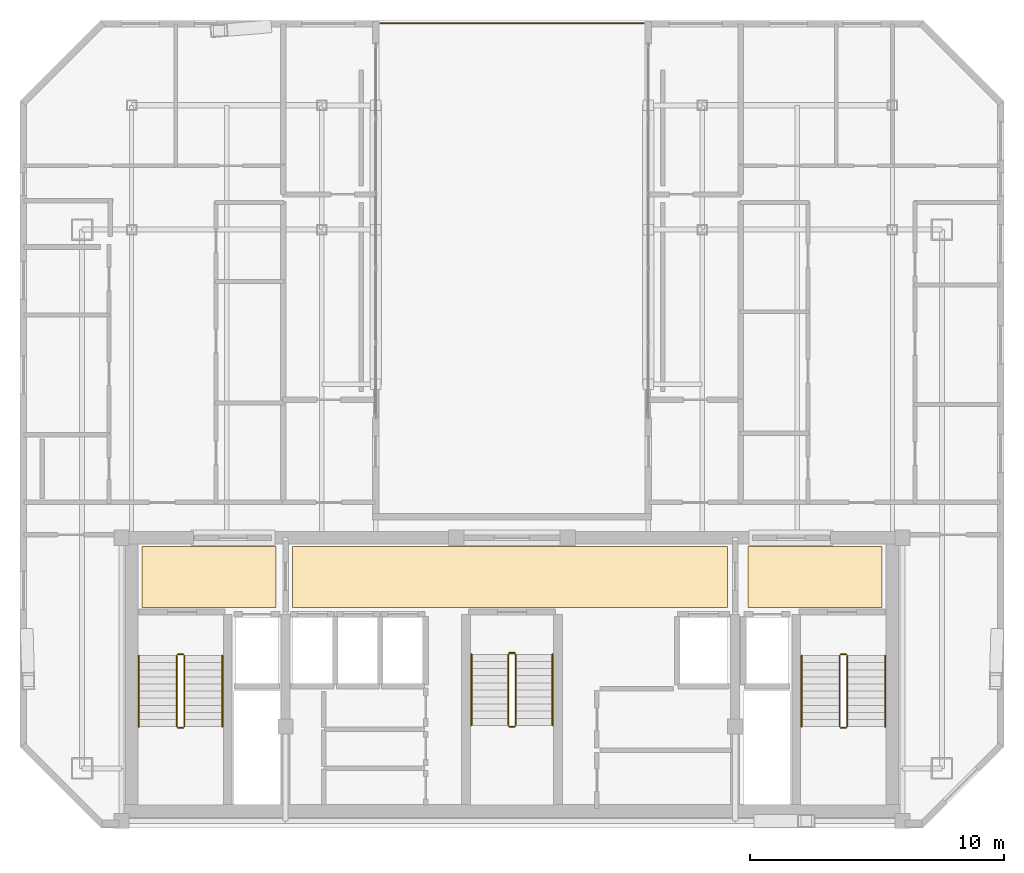
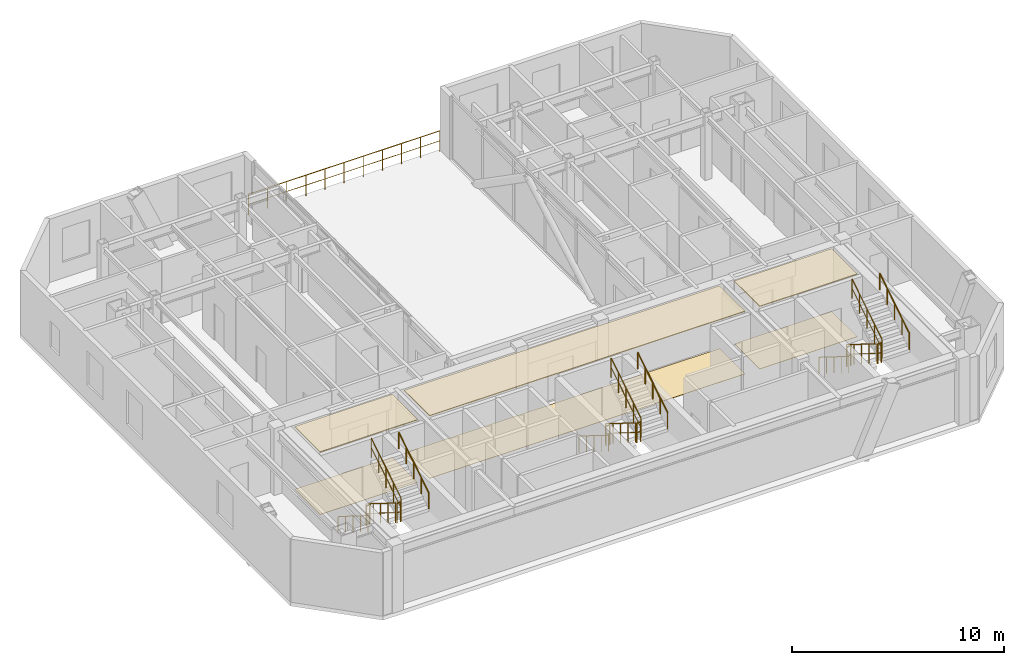
# One storey, part 14 of 14: 19 railings, 6 coverings.
"""IFC4 building model written with IfcOpenShell, lengths in metres."""

from ifc_helpers import new_model, si_unit, direction, frame, origin, origin_2d, place, context, subcontext, project, spatial, polyline, circle, outline, extrude, material, layer, layer_set, type_object, element, save


model = new_model("IFC4")

# Units and contexts
model_context = context("Model", 3, precision=1e-05, world=origin(), true_north=direction((0.0, 1.0)))
body_context = subcontext(model_context, "Body", "Model", "MODEL_VIEW")
ifc_project = project(units=[si_unit("LENGTHUNIT", "METRE"), si_unit("AREAUNIT", "SQUARE_METRE"), si_unit("VOLUMEUNIT", "CUBIC_METRE"), si_unit("PLANEANGLEUNIT", "RADIAN"), si_unit("MASSUNIT", "GRAM", prefix="KILO")], contexts=[model_context])

# Site, building, storey
site_placement = place(None, origin())
site = spatial("IfcSite", under=ifc_project, at=site_placement, CompositionType="ELEMENT")
building_placement = place(site_placement, origin())
building = spatial("IfcBuilding", under=site, at=building_placement, Name="Ventersveld Concourse Tower", CompositionType="ELEMENT")
storey_placement = place(building_placement, frame((0.0, 0.0, 337.5)))
storey = spatial("IfcBuildingStorey", under=building, at=storey_placement, Name="L83", CompositionType="ELEMENT", Elevation=337.5)

# Coverings
ifc_material_1 = material(Name="Mineral-fibre acoustic ceiling tile", Category="gypsum")
ifc_layer_1 = layer(ifc_material_1, 0.0400390625)
ifc_layer_set_1 = layer_set([ifc_layer_1], Name="Mineral-fibre acoustic ceiling tile")
covering_type_1 = type_object("IfcCoveringType", Name="COV-CEIL-ACOUSTIC", PredefinedType="CEILING", material=ifc_layer_set_1)
covering_1_placement = place(storey_placement, frame((0.0, 0.0, 3.590087890625)))
element("IfcCovering", 1, at=covering_1_placement, inside=storey, type_object=covering_type_1, Name="L83 North Lift Lobby Acoustic Ceiling", PredefinedType="CEILING", context=body_context, shape_type="SweptSolid", body=[
    extrude(outline(polyline([(20.10009765625, 8.699951171875), (37.25, 8.699951171875), (37.25, 11.10009765625), (20.10009765625, 11.10009765625), (20.10009765625, 8.699951171875)])), origin(), (0.0, 0.0, 1.0), 0.039794921875),
])
covering_2_placement = place(storey_placement, frame((0.0, 0.0, 3.590087890625)))
element("IfcCovering", 2, at=covering_2_placement, inside=storey, type_object=covering_type_1, Name="L83 West Firefighting Lobby Acoustic Ceiling", PredefinedType="CEILING", context=body_context, shape_type="SweptSolid", body=[
    extrude(outline(polyline([(14.14990234375, 8.699951171875), (19.449951171875, 8.699951171875), (19.449951171875, 11.10009765625), (14.14990234375, 11.10009765625), (14.14990234375, 8.699951171875)])), origin(), (0.0, 0.0, 1.0), 0.039794921875),
])
covering_3_placement = place(storey_placement, frame((0.0, 0.0, 3.590087890625)))
element("IfcCovering", 3, at=covering_3_placement, inside=storey, type_object=covering_type_1, Name="L83 East Firefighting Lobby Acoustic Ceiling", PredefinedType="CEILING", context=body_context, shape_type="SweptSolid", body=[
    extrude(outline(polyline([(38.050048828125, 8.699951171875), (43.35009765625, 8.699951171875), (43.35009765625, 11.10009765625), (38.050048828125, 11.10009765625), (38.050048828125, 8.699951171875)])), origin(), (0.0, 0.0, 1.0), 0.039794921875),
])
ifc_material_2 = material(Name="Polished Highveld granite terrazzo", Category="masonry")
ifc_layer_2 = layer(ifc_material_2, 0.02001953125)
ifc_layer_set_2 = layer_set([ifc_layer_2], Name="Polished Highveld granite terrazzo")
covering_type_2 = type_object("IfcCoveringType", Name="COV-FLOOR-TERRAZZO", PredefinedType="FLOORING", material=ifc_layer_set_2)
covering_4_placement = place(storey_placement, origin())
element("IfcCovering", 4, at=covering_4_placement, inside=storey, type_object=covering_type_2, Name="L83 North Lift Lobby Terrazzo Flooring", PredefinedType="FLOORING", context=body_context, shape_type="SweptSolid", body=[
    extrude(outline(polyline([(20.10009765625, 8.699951171875), (37.25, 8.699951171875), (37.25, 11.10009765625), (20.10009765625, 11.10009765625), (20.10009765625, 8.699951171875)])), origin(), (0.0, 0.0, 1.0), 0.02001953125),
])
covering_5_placement = place(storey_placement, origin())
element("IfcCovering", 5, at=covering_5_placement, inside=storey, type_object=covering_type_2, Name="L83 West Firefighting Lobby Terrazzo Flooring", PredefinedType="FLOORING", context=body_context, shape_type="SweptSolid", body=[
    extrude(outline(polyline([(14.14990234375, 8.699951171875), (19.449951171875, 8.699951171875), (19.449951171875, 11.10009765625), (14.14990234375, 11.10009765625), (14.14990234375, 8.699951171875)])), origin(), (0.0, 0.0, 1.0), 0.02001953125),
])
covering_6_placement = place(storey_placement, origin())
element("IfcCovering", 6, at=covering_6_placement, inside=storey, type_object=covering_type_2, Name="L83 East Firefighting Lobby Terrazzo Flooring", PredefinedType="FLOORING", context=body_context, shape_type="SweptSolid", body=[
    extrude(outline(polyline([(38.050048828125, 8.699951171875), (43.35009765625, 8.699951171875), (43.35009765625, 11.10009765625), (38.050048828125, 11.10009765625), (38.050048828125, 8.699951171875)])), origin(), (0.0, 0.0, 1.0), 0.02001953125),
])

# Railings
ifc_material_3 = material(Name="Brushed stainless steel 316", Category="steel")
railing_type_1 = type_object("IfcRailingType", Name="GD-BAL-115", PredefinedType="GUARDRAIL", material=ifc_material_3)
railing_1_placement = place(storey_placement, frame((15.530029296875, 6.800048828125, 0.175048828125)))
element("IfcRailing", 7, at=railing_1_placement, inside=storey, type_object=railing_type_1, Name="L83 ST-01 stair guard 1", PredefinedType="GUARDRAIL", context=body_context, shape_type="SweptSolid", body=[
    extrude(circle(Radius=0.02392578125, at=origin_2d()), frame((0.0, 0.0, 1.1259765625), z_axis=(0.0, -0.848002457836, 0.529992293815), x_axis=(1.0, 0.0, 0.0)), (0.0, 0.0, 1.0), 3.302001953125),
    extrude(circle(Radius=0.01611328125, at=origin_2d()), frame((0.0, 0.0, 0.574951171875), z_axis=(0.0, -0.848002457836, 0.529992293815), x_axis=(1.0, 0.0, 0.0)), (0.0, 0.0, 1.0), 3.302001953125),
    extrude(circle(Radius=0.02099609375, at=origin_2d()), origin(), (0.0, 0.0, 1.0), 1.101806640625),
    extrude(circle(Radius=0.02099609375, at=origin_2d()), frame((0.0, -0.699951171875, 0.4375)), (0.0, 0.0, 1.0), 1.101806640625),
    extrude(circle(Radius=0.02099609375, at=origin_2d()), frame((0.0, -1.39990234375, 0.875)), (0.0, 0.0, 1.0), 1.101806640625),
    extrude(circle(Radius=0.02099609375, at=origin_2d()), frame((0.0, -2.10009765625, 1.3125)), (0.0, 0.0, 1.0), 1.101806640625),
    extrude(circle(Radius=0.02099609375, at=origin_2d()), frame((0.0, -2.800048828125, 1.75)), (0.0, 0.0, 1.0), 1.101806640625),
])
railing_2_placement = place(storey_placement, frame((15.580078125, 3.949951171875, 1.925048828125)))
element("IfcRailing", 8, at=railing_2_placement, inside=storey, type_object=railing_type_1, Name="L83 ST-01 stair guard 2", PredefinedType="GUARDRAIL", context=body_context, shape_type="SweptSolid", body=[
    extrude(circle(Radius=0.02392578125, at=origin_2d()), frame((0.0, 0.0, 1.1259765625), z_axis=(1.0, 0.0, 0.0), x_axis=(0.0, 1.0, 0.0)), (0.0, 0.0, 1.0), 0.199951171875),
    extrude(circle(Radius=0.01611328125, at=origin_2d()), frame((0.0, 0.0, 0.574951171875), z_axis=(1.0, 0.0, 0.0), x_axis=(0.0, 1.0, 0.0)), (0.0, 0.0, 1.0), 0.199951171875),
    extrude(circle(Radius=0.02099609375, at=origin_2d()), origin(), (0.0, 0.0, 1.0), 1.101806640625),
    extrude(circle(Radius=0.02099609375, at=origin_2d()), frame((0.199951171875, 0.0, 0.0)), (0.0, 0.0, 1.0), 1.101806640625),
])
railing_3_placement = place(storey_placement, frame((15.830078125, 4.0, 2.10009765625)))
element("IfcRailing", 9, at=railing_3_placement, inside=storey, type_object=railing_type_1, Name="L83 ST-01 stair guard 3", PredefinedType="GUARDRAIL", context=body_context, shape_type="SweptSolid", body=[
    extrude(circle(Radius=0.02392578125, at=origin_2d()), frame((0.0, 0.0, 1.1259765625), z_axis=(0.0, 0.848002457836, 0.529992293815), x_axis=(-1.0, 0.0, 0.0)), (0.0, 0.0, 1.0), 3.302001953125),
    extrude(circle(Radius=0.01611328125, at=origin_2d()), frame((0.0, 0.0, 0.574951171875), z_axis=(0.0, 0.848002457836, 0.529992293815), x_axis=(-1.0, 0.0, 0.0)), (0.0, 0.0, 1.0), 3.302001953125),
    extrude(circle(Radius=0.02099609375, at=origin_2d()), origin(), (0.0, 0.0, 1.0), 1.101806640625),
    extrude(circle(Radius=0.02099609375, at=origin_2d()), frame((0.0, 0.699951171875, 0.4375)), (0.0, 0.0, 1.0), 1.101806640625),
    extrude(circle(Radius=0.02099609375, at=origin_2d()), frame((0.0, 1.39990234375, 0.875)), (0.0, 0.0, 1.0), 1.101806640625),
    extrude(circle(Radius=0.02099609375, at=origin_2d()), frame((0.0, 2.10009765625, 1.3125)), (0.0, 0.0, 1.0), 1.101806640625),
    extrude(circle(Radius=0.02099609375, at=origin_2d()), frame((0.0, 2.800048828125, 1.75)), (0.0, 0.0, 1.0), 1.101806640625),
])
railing_4_placement = place(storey_placement, frame((15.580078125, 6.85009765625, 0.0)))
element("IfcRailing", 10, at=railing_4_placement, inside=storey, type_object=railing_type_1, Name="L83 ST-01 stair guard 4", PredefinedType="GUARDRAIL", context=body_context, shape_type="SweptSolid", body=[
    extrude(circle(Radius=0.02392578125, at=origin_2d()), frame((0.0, 0.0, 1.1259765625), z_axis=(1.0, 0.0, 0.0), x_axis=(0.0, 1.0, 0.0)), (0.0, 0.0, 1.0), 0.199951171875),
    extrude(circle(Radius=0.01611328125, at=origin_2d()), frame((0.0, 0.0, 0.574951171875), z_axis=(1.0, 0.0, 0.0), x_axis=(0.0, 1.0, 0.0)), (0.0, 0.0, 1.0), 0.199951171875),
    extrude(circle(Radius=0.02099609375, at=origin_2d()), origin(), (0.0, 0.0, 1.0), 1.101806640625),
    extrude(circle(Radius=0.02099609375, at=origin_2d()), frame((0.199951171875, 0.0, 0.0)), (0.0, 0.0, 1.0), 1.101806640625),
])
railing_5_placement = place(storey_placement, frame((41.669921875, 6.800048828125, 0.175048828125)))
element("IfcRailing", 11, at=railing_5_placement, inside=storey, type_object=railing_type_1, Name="L83 ST-02 stair guard 1", PredefinedType="GUARDRAIL", context=body_context, shape_type="SweptSolid", body=[
    extrude(circle(Radius=0.02392578125, at=origin_2d()), frame((0.0, 0.0, 1.1259765625), z_axis=(0.0, -0.848002457836, 0.529992293815), x_axis=(1.0, 0.0, 0.0)), (0.0, 0.0, 1.0), 3.302001953125),
    extrude(circle(Radius=0.01611328125, at=origin_2d()), frame((0.0, 0.0, 0.574951171875), z_axis=(0.0, -0.848002457836, 0.529992293815), x_axis=(1.0, 0.0, 0.0)), (0.0, 0.0, 1.0), 3.302001953125),
    extrude(circle(Radius=0.02099609375, at=origin_2d()), origin(), (0.0, 0.0, 1.0), 1.101806640625),
    extrude(circle(Radius=0.02099609375, at=origin_2d()), frame((0.0, -0.699951171875, 0.4375)), (0.0, 0.0, 1.0), 1.101806640625),
    extrude(circle(Radius=0.02099609375, at=origin_2d()), frame((0.0, -1.39990234375, 0.875)), (0.0, 0.0, 1.0), 1.101806640625),
    extrude(circle(Radius=0.02099609375, at=origin_2d()), frame((0.0, -2.10009765625, 1.3125)), (0.0, 0.0, 1.0), 1.101806640625),
    extrude(circle(Radius=0.02099609375, at=origin_2d()), frame((0.0, -2.800048828125, 1.75)), (0.0, 0.0, 1.0), 1.101806640625),
])
railing_6_placement = place(storey_placement, frame((41.719970703125, 3.949951171875, 1.925048828125)))
element("IfcRailing", 12, at=railing_6_placement, inside=storey, type_object=railing_type_1, Name="L83 ST-02 stair guard 2", PredefinedType="GUARDRAIL", context=body_context, shape_type="SweptSolid", body=[
    extrude(circle(Radius=0.02392578125, at=origin_2d()), frame((0.0, 0.0, 1.1259765625), z_axis=(1.0, 0.0, 0.0), x_axis=(0.0, 1.0, 0.0)), (0.0, 0.0, 1.0), 0.199951171875),
    extrude(circle(Radius=0.01611328125, at=origin_2d()), frame((0.0, 0.0, 0.574951171875), z_axis=(1.0, 0.0, 0.0), x_axis=(0.0, 1.0, 0.0)), (0.0, 0.0, 1.0), 0.199951171875),
    extrude(circle(Radius=0.02099609375, at=origin_2d()), origin(), (0.0, 0.0, 1.0), 1.101806640625),
    extrude(circle(Radius=0.02099609375, at=origin_2d()), frame((0.199951171875, 0.0, 0.0)), (0.0, 0.0, 1.0), 1.101806640625),
])
railing_7_placement = place(storey_placement, frame((41.969970703125, 4.0, 2.10009765625)))
element("IfcRailing", 13, at=railing_7_placement, inside=storey, type_object=railing_type_1, Name="L83 ST-02 stair guard 3", PredefinedType="GUARDRAIL", context=body_context, shape_type="SweptSolid", body=[
    extrude(circle(Radius=0.02392578125, at=origin_2d()), frame((0.0, 0.0, 1.1259765625), z_axis=(0.0, 0.848002457836, 0.529992293815), x_axis=(-1.0, 0.0, 0.0)), (0.0, 0.0, 1.0), 3.302001953125),
    extrude(circle(Radius=0.01611328125, at=origin_2d()), frame((0.0, 0.0, 0.574951171875), z_axis=(0.0, 0.848002457836, 0.529992293815), x_axis=(-1.0, 0.0, 0.0)), (0.0, 0.0, 1.0), 3.302001953125),
    extrude(circle(Radius=0.02099609375, at=origin_2d()), origin(), (0.0, 0.0, 1.0), 1.101806640625),
    extrude(circle(Radius=0.02099609375, at=origin_2d()), frame((0.0, 0.699951171875, 0.4375)), (0.0, 0.0, 1.0), 1.101806640625),
    extrude(circle(Radius=0.02099609375, at=origin_2d()), frame((0.0, 1.39990234375, 0.875)), (0.0, 0.0, 1.0), 1.101806640625),
    extrude(circle(Radius=0.02099609375, at=origin_2d()), frame((0.0, 2.10009765625, 1.3125)), (0.0, 0.0, 1.0), 1.101806640625),
    extrude(circle(Radius=0.02099609375, at=origin_2d()), frame((0.0, 2.800048828125, 1.75)), (0.0, 0.0, 1.0), 1.101806640625),
])
railing_8_placement = place(storey_placement, frame((41.719970703125, 6.85009765625, 0.0)))
element("IfcRailing", 14, at=railing_8_placement, inside=storey, type_object=railing_type_1, Name="L83 ST-02 stair guard 4", PredefinedType="GUARDRAIL", context=body_context, shape_type="SweptSolid", body=[
    extrude(circle(Radius=0.02392578125, at=origin_2d()), frame((0.0, 0.0, 1.1259765625), z_axis=(1.0, 0.0, 0.0), x_axis=(0.0, 1.0, 0.0)), (0.0, 0.0, 1.0), 0.199951171875),
    extrude(circle(Radius=0.01611328125, at=origin_2d()), frame((0.0, 0.0, 0.574951171875), z_axis=(1.0, 0.0, 0.0), x_axis=(0.0, 1.0, 0.0)), (0.0, 0.0, 1.0), 0.199951171875),
    extrude(circle(Radius=0.02099609375, at=origin_2d()), origin(), (0.0, 0.0, 1.0), 1.101806640625),
    extrude(circle(Radius=0.02099609375, at=origin_2d()), frame((0.199951171875, 0.0, 0.0)), (0.0, 0.0, 1.0), 1.101806640625),
])
railing_9_placement = place(storey_placement, frame((28.60009765625, 6.85009765625, 0.175048828125)))
element("IfcRailing", 15, at=railing_9_placement, inside=storey, type_object=railing_type_1, Name="L83 ST-03 stair guard 1", PredefinedType="GUARDRAIL", context=body_context, shape_type="SweptSolid", body=[
    extrude(circle(Radius=0.02392578125, at=origin_2d()), frame((0.0, 0.0, 1.1259765625), z_axis=(0.0, -0.848002457836, 0.529992293815), x_axis=(1.0, 0.0, 0.0)), (0.0, 0.0, 1.0), 3.302001953125),
    extrude(circle(Radius=0.01611328125, at=origin_2d()), frame((0.0, 0.0, 0.574951171875), z_axis=(0.0, -0.848002457836, 0.529992293815), x_axis=(1.0, 0.0, 0.0)), (0.0, 0.0, 1.0), 3.302001953125),
    extrude(circle(Radius=0.02099609375, at=origin_2d()), origin(), (0.0, 0.0, 1.0), 1.101806640625),
    extrude(circle(Radius=0.02099609375, at=origin_2d()), frame((0.0, -0.699951171875, 0.4375)), (0.0, 0.0, 1.0), 1.101806640625),
    extrude(circle(Radius=0.02099609375, at=origin_2d()), frame((0.0, -1.39990234375, 0.875)), (0.0, 0.0, 1.0), 1.101806640625),
    extrude(circle(Radius=0.02099609375, at=origin_2d()), frame((0.0, -2.10009765625, 1.3125)), (0.0, 0.0, 1.0), 1.101806640625),
    extrude(circle(Radius=0.02099609375, at=origin_2d()), frame((0.0, -2.800048828125, 1.75)), (0.0, 0.0, 1.0), 1.101806640625),
])
railing_10_placement = place(storey_placement, frame((28.64990234375, 4.0, 1.925048828125)))
element("IfcRailing", 16, at=railing_10_placement, inside=storey, type_object=railing_type_1, Name="L83 ST-03 stair guard 2", PredefinedType="GUARDRAIL", context=body_context, shape_type="SweptSolid", body=[
    extrude(circle(Radius=0.02392578125, at=origin_2d()), frame((0.0, 0.0, 1.1259765625), z_axis=(1.0, 0.0, 0.0), x_axis=(0.0, 1.0, 0.0)), (0.0, 0.0, 1.0), 0.2001953125),
    extrude(circle(Radius=0.01611328125, at=origin_2d()), frame((0.0, 0.0, 0.574951171875), z_axis=(1.0, 0.0, 0.0), x_axis=(0.0, 1.0, 0.0)), (0.0, 0.0, 1.0), 0.2001953125),
    extrude(circle(Radius=0.02099609375, at=origin_2d()), origin(), (0.0, 0.0, 1.0), 1.101806640625),
    extrude(circle(Radius=0.02099609375, at=origin_2d()), frame((0.2001953125, 0.0, 0.0)), (0.0, 0.0, 1.0), 1.101806640625),
])
railing_11_placement = place(storey_placement, frame((28.89990234375, 4.050048828125, 2.10009765625)))
element("IfcRailing", 17, at=railing_11_placement, inside=storey, type_object=railing_type_1, Name="L83 ST-03 stair guard 3", PredefinedType="GUARDRAIL", context=body_context, shape_type="SweptSolid", body=[
    extrude(circle(Radius=0.02392578125, at=origin_2d()), frame((0.0, 0.0, 1.1259765625), z_axis=(0.0, 0.848002457836, 0.529992293815), x_axis=(-1.0, 0.0, 0.0)), (0.0, 0.0, 1.0), 3.302001953125),
    extrude(circle(Radius=0.01611328125, at=origin_2d()), frame((0.0, 0.0, 0.574951171875), z_axis=(0.0, 0.848002457836, 0.529992293815), x_axis=(-1.0, 0.0, 0.0)), (0.0, 0.0, 1.0), 3.302001953125),
    extrude(circle(Radius=0.02099609375, at=origin_2d()), origin(), (0.0, 0.0, 1.0), 1.101806640625),
    extrude(circle(Radius=0.02099609375, at=origin_2d()), frame((0.0, 0.699951171875, 0.4375)), (0.0, 0.0, 1.0), 1.101806640625),
    extrude(circle(Radius=0.02099609375, at=origin_2d()), frame((0.0, 1.39990234375, 0.875)), (0.0, 0.0, 1.0), 1.101806640625),
    extrude(circle(Radius=0.02099609375, at=origin_2d()), frame((0.0, 2.10009765625, 1.3125)), (0.0, 0.0, 1.0), 1.101806640625),
    extrude(circle(Radius=0.02099609375, at=origin_2d()), frame((0.0, 2.800048828125, 1.75)), (0.0, 0.0, 1.0), 1.101806640625),
])
railing_12_placement = place(storey_placement, frame((28.64990234375, 6.89990234375, 0.0)))
element("IfcRailing", 18, at=railing_12_placement, inside=storey, type_object=railing_type_1, Name="L83 ST-03 stair guard 4", PredefinedType="GUARDRAIL", context=body_context, shape_type="SweptSolid", body=[
    extrude(circle(Radius=0.02392578125, at=origin_2d()), frame((0.0, 0.0, 1.1259765625), z_axis=(1.0, 0.0, 0.0), x_axis=(0.0, 1.0, 0.0)), (0.0, 0.0, 1.0), 0.2001953125),
    extrude(circle(Radius=0.01611328125, at=origin_2d()), frame((0.0, 0.0, 0.574951171875), z_axis=(1.0, 0.0, 0.0), x_axis=(0.0, 1.0, 0.0)), (0.0, 0.0, 1.0), 0.2001953125),
    extrude(circle(Radius=0.02099609375, at=origin_2d()), origin(), (0.0, 0.0, 1.0), 1.101806640625),
    extrude(circle(Radius=0.02099609375, at=origin_2d()), frame((0.2001953125, 0.0, 0.0)), (0.0, 0.0, 1.0), 1.101806640625),
])
railing_type_2 = type_object("IfcRailingType", Name="GD-TER-120", PredefinedType="GUARDRAIL", material=ifc_material_3)
railing_13_placement = place(storey_placement, frame((23.550048828125, 31.73388671875, 0.0)))
element("IfcRailing", 19, at=railing_13_placement, inside=storey, type_object=railing_type_2, Name="L83 Outdoor Terrace Guardrail PORTAL-DECK", PredefinedType="GUARDRAIL", context=body_context, shape_type="SweptSolid", body=[
    extrude(circle(Radius=0.02392578125, at=origin_2d()), frame((0.0, 0.0, 1.17578125), z_axis=(1.0, 0.0, 0.0), x_axis=(0.0, 1.0, 0.0)), (0.0, 0.0, 1.0), 10.39990234375),
    extrude(circle(Radius=0.01611328125, at=origin_2d()), frame((0.0, 0.0, 0.60009765625), z_axis=(1.0, 0.0, 0.0), x_axis=(0.0, 1.0, 0.0)), (0.0, 0.0, 1.0), 10.39990234375),
    extrude(circle(Radius=0.02099609375, at=origin_2d()), origin(), (0.0, 0.0, 1.0), 1.15185546875),
    extrude(circle(Radius=0.02099609375, at=origin_2d()), frame((1.0400390625, 0.0, 0.0)), (0.0, 0.0, 1.0), 1.15185546875),
    extrude(circle(Radius=0.02099609375, at=origin_2d()), frame((2.080078125, 0.0, 0.0)), (0.0, 0.0, 1.0), 1.15185546875),
    extrude(circle(Radius=0.02099609375, at=origin_2d()), frame((3.119873046875, 0.0, 0.0)), (0.0, 0.0, 1.0), 1.15185546875),
    extrude(circle(Radius=0.02099609375, at=origin_2d()), frame((4.159912109375, 0.0, 0.0)), (0.0, 0.0, 1.0), 1.15185546875),
    extrude(circle(Radius=0.02099609375, at=origin_2d()), frame((5.199951171875, 0.0, 0.0)), (0.0, 0.0, 1.0), 1.15185546875),
    extrude(circle(Radius=0.02099609375, at=origin_2d()), frame((6.239990234375, 0.0, 0.0)), (0.0, 0.0, 1.0), 1.15185546875),
    extrude(circle(Radius=0.02099609375, at=origin_2d()), frame((7.280029296875, 0.0, 0.0)), (0.0, 0.0, 1.0), 1.15185546875),
    extrude(circle(Radius=0.02099609375, at=origin_2d()), frame((8.31982421875, 0.0, 0.0)), (0.0, 0.0, 1.0), 1.15185546875),
    extrude(circle(Radius=0.02099609375, at=origin_2d()), frame((9.35986328125, 0.0, 0.0)), (0.0, 0.0, 1.0), 1.15185546875),
    extrude(circle(Radius=0.02099609375, at=origin_2d()), frame((10.39990234375, 0.0, 0.0)), (0.0, 0.0, 1.0), 1.15185546875),
])
railing_type_3 = type_object("IfcRailingType", Name="HR-RMP-095", PredefinedType="HANDRAIL", material=ifc_material_3)
railing_14_placement = place(storey_placement, frame((14.030029296875, 6.800048828125, 0.175048828125)))
element("IfcRailing", 20, at=railing_14_placement, inside=storey, type_object=railing_type_3, Name="L83 ST-01 stair handrail 1", PredefinedType="HANDRAIL", context=body_context, shape_type="SweptSolid", body=[
    extrude(circle(Radius=0.02392578125, at=origin_2d()), frame((0.0, 0.0, 0.92578125), z_axis=(0.0, -0.848002457836, 0.529992293815), x_axis=(1.0, 0.0, 0.0)), (0.0, 0.0, 1.0), 3.302001953125),
    extrude(circle(Radius=0.02099609375, at=origin_2d()), origin(), (0.0, 0.0, 1.0), 0.90185546875),
    extrude(circle(Radius=0.02099609375, at=origin_2d()), frame((0.0, -0.699951171875, 0.4375)), (0.0, 0.0, 1.0), 0.90185546875),
    extrude(circle(Radius=0.02099609375, at=origin_2d()), frame((0.0, -1.39990234375, 0.875)), (0.0, 0.0, 1.0), 0.90185546875),
    extrude(circle(Radius=0.02099609375, at=origin_2d()), frame((0.0, -2.10009765625, 1.3125)), (0.0, 0.0, 1.0), 0.90185546875),
    extrude(circle(Radius=0.02099609375, at=origin_2d()), frame((0.0, -2.800048828125, 1.75)), (0.0, 0.0, 1.0), 0.90185546875),
])
railing_15_placement = place(storey_placement, frame((17.330078125, 4.0, 2.10009765625)))
element("IfcRailing", 21, at=railing_15_placement, inside=storey, type_object=railing_type_3, Name="L83 ST-01 stair handrail 2", PredefinedType="HANDRAIL", context=body_context, shape_type="SweptSolid", body=[
    extrude(circle(Radius=0.02392578125, at=origin_2d()), frame((0.0, 0.0, 0.92578125), z_axis=(0.0, 0.848002457836, 0.529992293815), x_axis=(-1.0, 0.0, 0.0)), (0.0, 0.0, 1.0), 3.302001953125),
    extrude(circle(Radius=0.02099609375, at=origin_2d()), origin(), (0.0, 0.0, 1.0), 0.90185546875),
    extrude(circle(Radius=0.02099609375, at=origin_2d()), frame((0.0, 0.699951171875, 0.4375)), (0.0, 0.0, 1.0), 0.90185546875),
    extrude(circle(Radius=0.02099609375, at=origin_2d()), frame((0.0, 1.39990234375, 0.875)), (0.0, 0.0, 1.0), 0.90185546875),
    extrude(circle(Radius=0.02099609375, at=origin_2d()), frame((0.0, 2.10009765625, 1.3125)), (0.0, 0.0, 1.0), 0.90185546875),
    extrude(circle(Radius=0.02099609375, at=origin_2d()), frame((0.0, 2.800048828125, 1.75)), (0.0, 0.0, 1.0), 0.90185546875),
])
railing_16_placement = place(storey_placement, frame((40.169921875, 6.800048828125, 0.175048828125)))
element("IfcRailing", 22, at=railing_16_placement, inside=storey, type_object=railing_type_3, Name="L83 ST-02 stair handrail 1", PredefinedType="HANDRAIL", context=body_context, shape_type="SweptSolid", body=[
    extrude(circle(Radius=0.02392578125, at=origin_2d()), frame((0.0, 0.0, 0.92578125), z_axis=(0.0, -0.848002457836, 0.529992293815), x_axis=(1.0, 0.0, 0.0)), (0.0, 0.0, 1.0), 3.302001953125),
    extrude(circle(Radius=0.02099609375, at=origin_2d()), origin(), (0.0, 0.0, 1.0), 0.90185546875),
    extrude(circle(Radius=0.02099609375, at=origin_2d()), frame((0.0, -0.699951171875, 0.4375)), (0.0, 0.0, 1.0), 0.90185546875),
    extrude(circle(Radius=0.02099609375, at=origin_2d()), frame((0.0, -1.39990234375, 0.875)), (0.0, 0.0, 1.0), 0.90185546875),
    extrude(circle(Radius=0.02099609375, at=origin_2d()), frame((0.0, -2.10009765625, 1.3125)), (0.0, 0.0, 1.0), 0.90185546875),
    extrude(circle(Radius=0.02099609375, at=origin_2d()), frame((0.0, -2.800048828125, 1.75)), (0.0, 0.0, 1.0), 0.90185546875),
])
railing_17_placement = place(storey_placement, frame((43.469970703125, 4.0, 2.10009765625)))
element("IfcRailing", 23, at=railing_17_placement, inside=storey, type_object=railing_type_3, Name="L83 ST-02 stair handrail 2", PredefinedType="HANDRAIL", context=body_context, shape_type="SweptSolid", body=[
    extrude(circle(Radius=0.02392578125, at=origin_2d()), frame((0.0, 0.0, 0.92578125), z_axis=(0.0, 0.848002457836, 0.529992293815), x_axis=(-1.0, 0.0, 0.0)), (0.0, 0.0, 1.0), 3.302001953125),
    extrude(circle(Radius=0.02099609375, at=origin_2d()), origin(), (0.0, 0.0, 1.0), 0.90185546875),
    extrude(circle(Radius=0.02099609375, at=origin_2d()), frame((0.0, 0.699951171875, 0.4375)), (0.0, 0.0, 1.0), 0.90185546875),
    extrude(circle(Radius=0.02099609375, at=origin_2d()), frame((0.0, 1.39990234375, 0.875)), (0.0, 0.0, 1.0), 0.90185546875),
    extrude(circle(Radius=0.02099609375, at=origin_2d()), frame((0.0, 2.10009765625, 1.3125)), (0.0, 0.0, 1.0), 0.90185546875),
    extrude(circle(Radius=0.02099609375, at=origin_2d()), frame((0.0, 2.800048828125, 1.75)), (0.0, 0.0, 1.0), 0.90185546875),
])
railing_18_placement = place(storey_placement, frame((27.14990234375, 6.85009765625, 0.175048828125)))
element("IfcRailing", 24, at=railing_18_placement, inside=storey, type_object=railing_type_3, Name="L83 ST-03 stair handrail 1", PredefinedType="HANDRAIL", context=body_context, shape_type="SweptSolid", body=[
    extrude(circle(Radius=0.02392578125, at=origin_2d()), frame((0.0, 0.0, 0.92578125), z_axis=(0.0, -0.848002457836, 0.529992293815), x_axis=(1.0, 0.0, 0.0)), (0.0, 0.0, 1.0), 3.302001953125),
    extrude(circle(Radius=0.02099609375, at=origin_2d()), origin(), (0.0, 0.0, 1.0), 0.90185546875),
    extrude(circle(Radius=0.02099609375, at=origin_2d()), frame((0.0, -0.699951171875, 0.4375)), (0.0, 0.0, 1.0), 0.90185546875),
    extrude(circle(Radius=0.02099609375, at=origin_2d()), frame((0.0, -1.39990234375, 0.875)), (0.0, 0.0, 1.0), 0.90185546875),
    extrude(circle(Radius=0.02099609375, at=origin_2d()), frame((0.0, -2.10009765625, 1.3125)), (0.0, 0.0, 1.0), 0.90185546875),
    extrude(circle(Radius=0.02099609375, at=origin_2d()), frame((0.0, -2.800048828125, 1.75)), (0.0, 0.0, 1.0), 0.90185546875),
])
railing_19_placement = place(storey_placement, frame((30.35009765625, 4.050048828125, 2.10009765625)))
element("IfcRailing", 25, at=railing_19_placement, inside=storey, type_object=railing_type_3, Name="L83 ST-03 stair handrail 2", PredefinedType="HANDRAIL", context=body_context, shape_type="SweptSolid", body=[
    extrude(circle(Radius=0.02392578125, at=origin_2d()), frame((0.0, 0.0, 0.92578125), z_axis=(0.0, 0.848002457836, 0.529992293815), x_axis=(-1.0, 0.0, 0.0)), (0.0, 0.0, 1.0), 3.302001953125),
    extrude(circle(Radius=0.02099609375, at=origin_2d()), origin(), (0.0, 0.0, 1.0), 0.90185546875),
    extrude(circle(Radius=0.02099609375, at=origin_2d()), frame((0.0, 0.699951171875, 0.4375)), (0.0, 0.0, 1.0), 0.90185546875),
    extrude(circle(Radius=0.02099609375, at=origin_2d()), frame((0.0, 1.39990234375, 0.875)), (0.0, 0.0, 1.0), 0.90185546875),
    extrude(circle(Radius=0.02099609375, at=origin_2d()), frame((0.0, 2.10009765625, 1.3125)), (0.0, 0.0, 1.0), 0.90185546875),
    extrude(circle(Radius=0.02099609375, at=origin_2d()), frame((0.0, 2.800048828125, 1.75)), (0.0, 0.0, 1.0), 0.90185546875),
])

save(model, "model.ifc")
